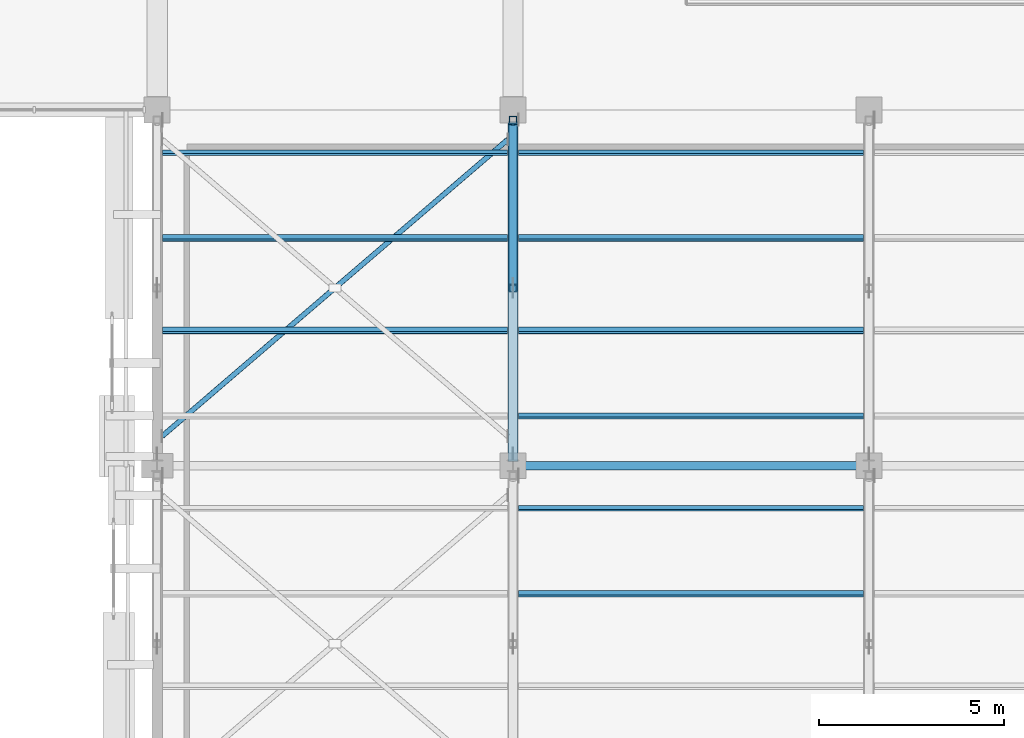
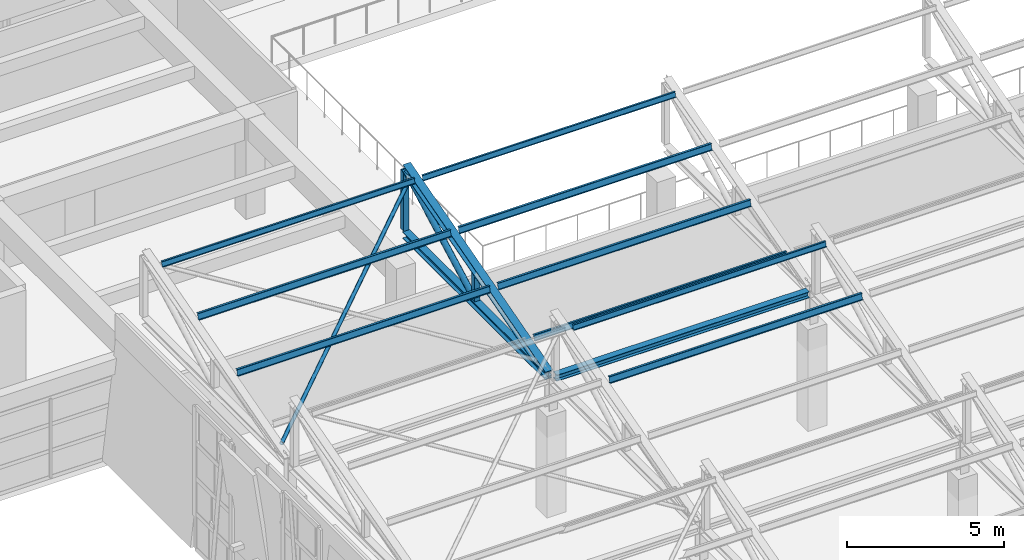
# One storey, part 14 of 71: 15 members, 1 beam.
"""IFC4 building model written with IfcOpenShell, lengths in metres."""

from ifc_helpers import new_model, si_unit, direction, frame, origin, origin_2d, place, context, subcontext, project, spatial, hollow_rectangle, hollow_circle, i_section, extrude, material, material_profile, profile_set, type_object, element, save


model = new_model("IFC4")

# Units and contexts
model_context = context("Model", 3, precision=1e-05, world=origin(), true_north=direction((0.0, 1.0)))
body_context = subcontext(model_context, "Body", "Model", "MODEL_VIEW")
ifc_project = project(units=[si_unit("LENGTHUNIT", "METRE"), si_unit("AREAUNIT", "SQUARE_METRE"), si_unit("VOLUMEUNIT", "CUBIC_METRE"), si_unit("PLANEANGLEUNIT", "RADIAN"), si_unit("MASSUNIT", "GRAM", prefix="KILO")], contexts=[model_context])

# Site, building, storey
site_placement = place(None, origin())
site = spatial("IfcSite", under=ifc_project, at=site_placement, CompositionType="ELEMENT")
building_placement = place(site_placement, origin())
building = spatial("IfcBuilding", under=site, at=building_placement, Name="Bempovik Park Faculty of Sciences", CompositionType="ELEMENT")
storey_placement = place(building_placement, frame((0.0, 0.0, 14.10009765625)))
storey = spatial("IfcBuildingStorey", under=building, at=storey_placement, Name="L03", CompositionType="ELEMENT", Elevation=14.10009765625)

# Beam
ifc_material = material(Name="Steel S355", Category="steel")
ifc_material_profile_1 = material_profile(ifc_material, i_section(OverallWidth=0.239990234375, OverallDepth=0.239990234375, WebThickness=0.010009765625, FlangeThickness=0.01708984375, at=origin_2d()), Name="HEB 240")
ifc_profile_set_1 = profile_set([ifc_material_profile_1], Name="Steel S355")
beam_type = type_object("IfcBeamType", Name="B-042 HEB 240", PredefinedType="BEAM", material=ifc_profile_set_1)
beam_placement = place(storey_placement, frame((69.75, 58.199951171875, 5.14990234375), z_axis=(1.0, 0.0, 0.0), x_axis=(0.0, 1.0, 0.0)))
element("IfcBeam", 1, at=beam_placement, inside=storey, type_object=beam_type, Name="Sawtooth Valley Tie Beam V1-B5 (69.6-79.2)", PredefinedType="BEAM", context=body_context, shape_type="SweptSolid", body=[
    extrude(i_section(OverallWidth=0.239990234375, OverallDepth=0.239990234375, WebThickness=0.010009765625, FlangeThickness=0.01708984375, at=origin_2d()), origin(), (0.0, 0.0, 1.0), 9.300048828125),
])

# Members
ifc_material_profile_2 = material_profile(ifc_material, i_section(OverallWidth=0.110107421875, OverallDepth=0.219970703125, WebThickness=0.005859375, FlangeThickness=0.00927734375, at=origin_2d()), Name="IPE 220")
ifc_profile_set_2 = profile_set([ifc_material_profile_2], Name="Steel S355")
member_type_1 = type_object("IfcMemberType", Name="M-18 IPE 220", PredefinedType="PURLIN", material=ifc_profile_set_2)
member_1_placement = place(storey_placement, frame((69.74609375, 59.5439453125, 5.847412109375), z_axis=(1.0, 0.0, 0.0), x_axis=(0.0, 0.965925826289, -0.258819045103)))
element("IfcMember", 2, at=member_1_placement, inside=storey, type_object=member_type_1, Name="Sawtooth Roof Purlin V1-B5 (69.6-79.2) #1", PredefinedType="PURLIN", context=body_context, shape_type="SweptSolid", body=[
    extrude(i_section(OverallWidth=0.110107421875, OverallDepth=0.219970703125, WebThickness=0.005859375, FlangeThickness=0.00927734375, at=origin_2d()), origin(), (0.0, 0.0, 1.0), 9.307861328125),
])
ifc_material_profile_3 = material_profile(ifc_material, hollow_circle(Radius=0.109619140625, WallThickness=0.010009765625, at=origin_2d()), Name="CHS 219.1x10")
ifc_profile_set_3 = profile_set([ifc_material_profile_3], Name="Steel S355")
member_type_2 = type_object("IfcMemberType", Name="M-22 CHS 219.1x10", PredefinedType="BRACE", material=ifc_profile_set_3)
member_2_placement = place(storey_placement, frame((69.60009765625, 63.10498046875, 5.285888671875), z_axis=(0.0, 0.882187464719, 0.470898372361), x_axis=(-1.0, 0.0, 0.0)))
element("IfcMember", 3, at=member_2_placement, inside=storey, type_object=member_type_2, Name="Sawtooth Web Diagonal 2 V1-B5 (69.6)", PredefinedType="BRACE", context=body_context, shape_type="SweptSolid", body=[
    extrude(hollow_circle(Radius=0.109619140625, WallThickness=0.010009765625, at=origin_2d()), origin(), (0.0, 0.0, 1.0), 4.902587890625),
])
ifc_material_profile_4 = material_profile(ifc_material, i_section(OverallWidth=0.280029296875, OverallDepth=0.280029296875, WebThickness=0.010498046875, FlangeThickness=0.01806640625, at=origin_2d()), Name="HEB 280")
ifc_profile_set_4 = profile_set([ifc_material_profile_4], Name="Steel S355")
member_type_3 = type_object("IfcMemberType", Name="M-26 HEB 280", PredefinedType="CHORD", material=ifc_profile_set_4)
member_3_placement = place(storey_placement, frame((69.60009765625, 58.35595703125, 5.212158203125), z_axis=(0.0, 0.962201828539, 0.272337366434), x_axis=(-1.0, 0.0, 0.0)))
element("IfcMember", 4, at=member_3_placement, inside=storey, type_object=member_type_3, Name="Sawtooth Top Rafter Chord V1-B5 (69.6)", PredefinedType="CHORD", context=body_context, shape_type="SweptSolid", body=[
    extrude(i_section(OverallWidth=0.280029296875, OverallDepth=0.280029296875, WebThickness=0.010498046875, FlangeThickness=0.01806640625, at=origin_2d()), origin(), (0.0, 0.0, 1.0), 9.445068359375),
])
ifc_material_profile_5 = material_profile(ifc_material, hollow_rectangle(XDim=0.199951171875, YDim=0.199951171875, WallThickness=0.010009765625, at=origin_2d()), Name="SHS 200x200x10")
ifc_profile_set_5 = profile_set([ifc_material_profile_5], Name="Steel S355")
member_type_4 = type_object("IfcMemberType", Name="M-44 SHS 200x200x10", PredefinedType="POST", material=ifc_profile_set_5)
member_4_placement = place(storey_placement, frame((69.60009765625, 67.530029296875, 5.285888671875), z_axis=(0.0, 0.0, 1.0), x_axis=(1.0, 0.0, 0.0)))
element("IfcMember", 5, at=member_4_placement, inside=storey, type_object=member_type_4, Name="Sawtooth North-Light Post V1-B5 (69.6)", PredefinedType="POST", context=body_context, shape_type="SweptSolid", body=[
    extrude(hollow_rectangle(XDim=0.199951171875, YDim=0.199951171875, WallThickness=0.010009765625, at=origin_2d()), origin(), (0.0, 0.0, 1.0), 2.30859375),
])
member_5_placement = place(storey_placement, frame((69.60009765625, 63.0, 5.285888671875), z_axis=(0.0, 0.0, 1.0), x_axis=(1.0, 0.0, 0.0)))
element("IfcMember", 6, at=member_5_placement, inside=storey, type_object=member_type_4, Name="Sawtooth Mid Post V1-B5 (69.6)", PredefinedType="POST", context=body_context, shape_type="SweptSolid", body=[
    extrude(hollow_rectangle(XDim=0.199951171875, YDim=0.199951171875, WallThickness=0.010009765625, at=origin_2d()), origin(), (0.0, 0.0, 1.0), 1.052490234375),
])
ifc_material_profile_6 = material_profile(ifc_material, i_section(OverallWidth=0.10009765625, OverallDepth=0.199951171875, WebThickness=0.005615234375, FlangeThickness=0.008544921875, at=origin_2d()), Name="IPE 200")
ifc_profile_set_6 = profile_set([ifc_material_profile_6], Name="Steel S355")
member_type_5 = type_object("IfcMemberType", Name="M-48 IPE 200", PredefinedType="PURLIN", material=ifc_profile_set_6)
member_6_placement = place(storey_placement, frame((69.74609375, 57.048095703125, 7.7607421875), z_axis=(1.0, 0.0, 0.0), x_axis=(0.0, 0.965925826289, -0.258819045103)))
element("IfcMember", 7, at=member_6_placement, inside=storey, type_object=member_type_5, Name="Sawtooth Roof Purlin V1-B4 (69.6-79.2) #4", PredefinedType="PURLIN", context=body_context, shape_type="SweptSolid", body=[
    extrude(i_section(OverallWidth=0.10009765625, OverallDepth=0.199951171875, WebThickness=0.005615234375, FlangeThickness=0.008544921875, at=origin_2d()), origin(), (0.0, 0.0, 1.0), 9.307861328125),
])
member_7_placement = place(storey_placement, frame((60.14599609375, 66.64794921875, 7.7607421875), z_axis=(1.0, 0.0, 0.0), x_axis=(0.0, 0.965925826289, -0.258819045103)))
element("IfcMember", 8, at=member_7_placement, inside=storey, type_object=member_type_5, Name="Sawtooth Roof Purlin V1-B5 (60.0-69.6) #4", PredefinedType="PURLIN", context=body_context, shape_type="SweptSolid", body=[
    extrude(i_section(OverallWidth=0.10009765625, OverallDepth=0.199951171875, WebThickness=0.005615234375, FlangeThickness=0.008544921875, at=origin_2d()), origin(), (0.0, 0.0, 1.0), 9.30810546875),
])
member_8_placement = place(storey_placement, frame((69.74609375, 66.64794921875, 7.7607421875), z_axis=(1.0, 0.0, 0.0), x_axis=(0.0, 0.965925826289, -0.258819045103)))
element("IfcMember", 9, at=member_8_placement, inside=storey, type_object=member_type_5, Name="Sawtooth Roof Purlin V1-B5 (69.6-79.2) #4", PredefinedType="PURLIN", context=body_context, shape_type="SweptSolid", body=[
    extrude(i_section(OverallWidth=0.10009765625, OverallDepth=0.199951171875, WebThickness=0.005615234375, FlangeThickness=0.008544921875, at=origin_2d()), origin(), (0.0, 0.0, 1.0), 9.307861328125),
])
ifc_material_profile_7 = material_profile(ifc_material, i_section(OverallWidth=0.260009765625, OverallDepth=0.260009765625, WebThickness=0.010009765625, FlangeThickness=0.017578125, at=origin_2d()), Name="HEB 260")
ifc_profile_set_7 = profile_set([ifc_material_profile_7], Name="Steel S355")
member_type_6 = type_object("IfcMemberType", Name="M-58 HEB 260", PredefinedType="CHORD", material=ifc_profile_set_7)
member_9_placement = place(storey_placement, frame((69.60009765625, 58.35595703125, 5.14990234375), z_axis=(0.0, 1.0, 0.0), x_axis=(-1.0, 0.0, 0.0)))
element("IfcMember", 10, at=member_9_placement, inside=storey, type_object=member_type_6, Name="Sawtooth Bottom Chord V1-B5 (69.6)", PredefinedType="CHORD", context=body_context, shape_type="SweptSolid", body=[
    extrude(i_section(OverallWidth=0.260009765625, OverallDepth=0.260009765625, WebThickness=0.010009765625, FlangeThickness=0.017578125, at=origin_2d()), origin(), (0.0, 0.0, 1.0), 9.088134765625),
])
ifc_material_profile_8 = material_profile(ifc_material, hollow_circle(Radius=0.06982421875, WallThickness=0.00634765625, at=origin_2d()), Name="CHS 139.7x6.3")
ifc_profile_set_8 = profile_set([ifc_material_profile_8], Name="Steel S355")
member_type_7 = type_object("IfcMemberType", Name="M-83 CHS 139.7x6.3", PredefinedType="BRACE", material=ifc_profile_set_8)
member_10_placement = place(storey_placement, frame((60.139892578125, 59.0, 5.426513671875), z_axis=(0.747498624674, 0.641625014625, 0.171939369306), x_axis=(-0.651324847863, 0.758799013281, 0.0)))
element("IfcMember", 11, at=member_10_placement, inside=storey, type_object=member_type_7, Name="Sawtooth Continuous Roof X-Brace V1-B5 (60.0-69.6)", PredefinedType="BRACE", context=body_context, shape_type="SweptSolid", body=[
    extrude(hollow_circle(Radius=0.06982421875, WallThickness=0.00634765625, at=origin_2d()), origin(), (0.0, 0.0, 1.0), 12.46826171875),
])
ifc_material_profile_9 = material_profile(ifc_material, i_section(OverallWidth=0.1201171875, OverallDepth=0.239990234375, WebThickness=0.006103515625, FlangeThickness=0.009765625, at=origin_2d()), Name="IPE 240")
ifc_profile_set_9 = profile_set([ifc_material_profile_9], Name="Steel S355")
member_type_8 = type_object("IfcMemberType", Name="M-86 IPE 240", PredefinedType="PURLIN", material=ifc_profile_set_9)
member_11_placement = place(storey_placement, frame((69.74609375, 54.743896484375, 7.12353515625), z_axis=(1.0, 0.0, 0.0), x_axis=(0.0, 0.965925826289, -0.258819045103)))
element("IfcMember", 12, at=member_11_placement, inside=storey, type_object=member_type_8, Name="Sawtooth Roof Purlin V1-B4 (69.6-79.2) #3", PredefinedType="PURLIN", context=body_context, shape_type="SweptSolid", body=[
    extrude(i_section(OverallWidth=0.1201171875, OverallDepth=0.239990234375, WebThickness=0.006103515625, FlangeThickness=0.009765625, at=origin_2d()), origin(), (0.0, 0.0, 1.0), 9.307861328125),
])
for number, where, z_axis, x_axis, name in (
    (13, (60.14599609375, 61.847900390625, 6.45458984375), (1.0, 0.0, 0.0), (0.0, 0.965925826289, -0.258819045103), "Sawtooth Roof Purlin V1-B5 (60.0-69.6) #2"),
    (14, (60.14599609375, 64.343994140625, 7.12353515625), (1.0, 0.0, 0.0), (0.0, 0.965925826289, -0.258819045103), "Sawtooth Roof Purlin V1-B5 (60.0-69.6) #3"),
):
    element("IfcMember", number, at=place(storey_placement, frame(where, z_axis=z_axis, x_axis=x_axis)), inside=storey, type_object=member_type_8, Name=name, PredefinedType="PURLIN", context=body_context, shape_type="SweptSolid", body=[
        extrude(i_section(OverallWidth=0.1201171875, OverallDepth=0.239990234375, WebThickness=0.006103515625, FlangeThickness=0.009765625, at=origin_2d()), origin(), (0.0, 0.0, 1.0), 9.30810546875),
    ])
for number, where, z_axis, x_axis, name in (
    (15, (69.74609375, 61.847900390625, 6.45458984375), (1.0, 0.0, 0.0), (0.0, 0.965925826289, -0.258819045103), "Sawtooth Roof Purlin V1-B5 (69.6-79.2) #2"),
    (16, (69.74609375, 64.343994140625, 7.12353515625), (1.0, 0.0, 0.0), (0.0, 0.965925826289, -0.258819045103), "Sawtooth Roof Purlin V1-B5 (69.6-79.2) #3"),
):
    element("IfcMember", number, at=place(storey_placement, frame(where, z_axis=z_axis, x_axis=x_axis)), inside=storey, type_object=member_type_8, Name=name, PredefinedType="PURLIN", context=body_context, shape_type="SweptSolid", body=[
        extrude(i_section(OverallWidth=0.1201171875, OverallDepth=0.239990234375, WebThickness=0.006103515625, FlangeThickness=0.009765625, at=origin_2d()), origin(), (0.0, 0.0, 1.0), 9.307861328125),
    ])

save(model, "model.ifc")
